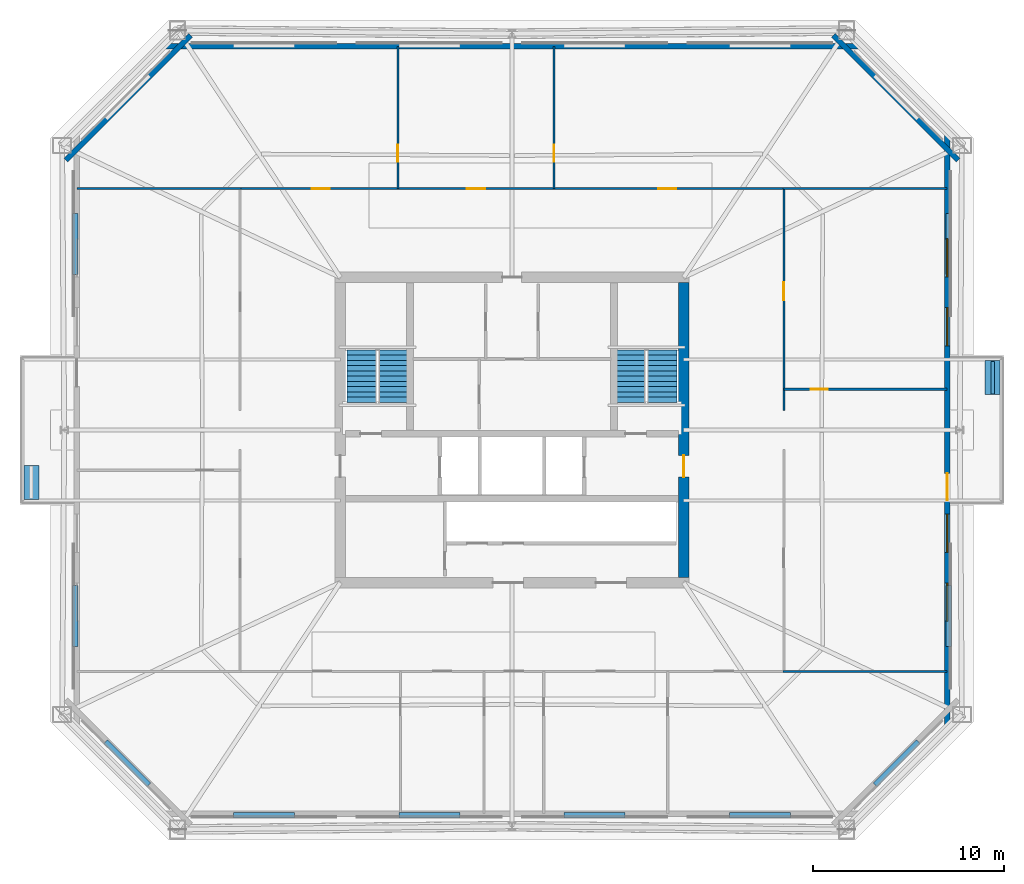
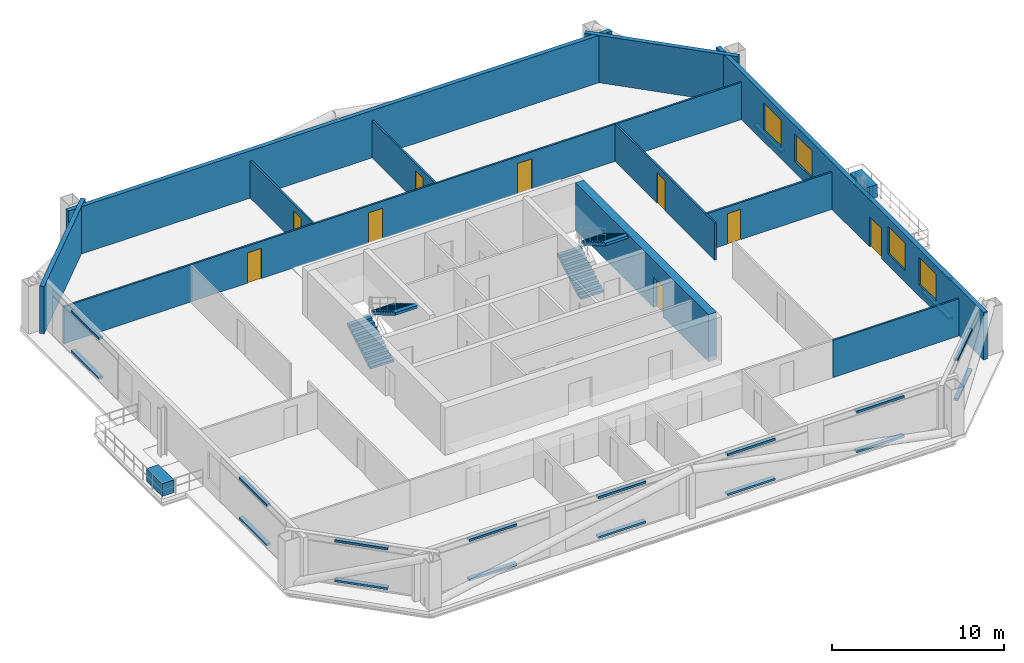
# One storey, part 4 of 8: 21 discrete accessories, 14 walls, 9 doors, 4 stair flights, 4 windows, 13 openings, 2 elements without a shape of their own.
"""IFC4 building model written with IfcOpenShell, lengths in metres."""

from ifc_helpers import new_model, si_unit, direction, frame, frame_2d, origin, origin_2d, place, context, subcontext, project, spatial, polyline, rectangle, outline, extrude, material, layer, layer_set, type_object, element, fill, aggregate, save


model = new_model("IFC4")

# Units and contexts
model_context = context("Model", 3, precision=1e-05, world=origin(), true_north=direction((0.0, 1.0)))
body_context = subcontext(model_context, "Body", "Model", "MODEL_VIEW")
ifc_project = project(units=[si_unit("LENGTHUNIT", "METRE"), si_unit("AREAUNIT", "SQUARE_METRE"), si_unit("VOLUMEUNIT", "CUBIC_METRE"), si_unit("PLANEANGLEUNIT", "RADIAN"), si_unit("MASSUNIT", "GRAM", prefix="KILO")], contexts=[model_context])

# Site, building, storey
site_placement = place(None, origin())
site = spatial("IfcSite", under=ifc_project, at=site_placement, CompositionType="ELEMENT")
building_placement = place(site_placement, origin())
building = spatial("IfcBuilding", under=site, at=building_placement, Name="Caelvoria Tower", CompositionType="ELEMENT")
storey_placement = place(building_placement, frame((0.0, 0.0, 138.39990234375)))
storey = spatial("IfcBuildingStorey", under=building, at=storey_placement, Name="L36", CompositionType="ELEMENT", Elevation=138.39990234375)

# Wall
ifc_material_1 = material(Name="Bronze-Clad Concrete C40/50", Category="concrete")
ifc_layer_1 = layer(ifc_material_1, 0.179931640625, Name="Bronze-Clad Concrete C40/50")
ifc_layer_set_1 = layer_set([ifc_layer_1], Name="Architectural Planter Kerb Wall 180 - Bronze-Clad Concrete C40/50")
wall_type_1 = type_object("IfcWallType", Name="Architectural Planter Kerb Wall 180", PredefinedType="PARAPET", material=ifc_layer_set_1)
wall_1_placement = place(storey_placement, frame((71.199951171875, 33.89990234375, 0.0), z_axis=(0.0, 0.0, 1.0), x_axis=(0.0, 1.0, 0.0)))
element("IfcWall", 1, at=wall_1_placement, inside=storey, type_object=wall_type_1, Name="Tree Balcony Planter Kerb PLANTER TB-L36-E", PredefinedType="PARAPET", context=body_context, shape_type="SweptSolid", body=[
    extrude(rectangle(XDim=1.7001953125, YDim=0.179931640625, at=frame_2d((0.85009765625, 0.0))), origin(), (0.0, 0.0, 1.0), 0.880126953125),
])

# Wall, openings, windows, door
ifc_material_2 = material(Name="Precast Concrete C40/50 with Bronze Cladding", Category="concrete")
ifc_layer_2 = layer(ifc_material_2, 0.280029296875, Name="Precast Concrete C40/50 with Bronze Cladding")
ifc_layer_set_2 = layer_set([ifc_layer_2], Name="Exterior Precast Concrete C40/50 Bronze-Clad Facade Wall 280 - Precast Concrete C40/50 with Bronze Cladding")
wall_type_2 = type_object("IfcWallType", Name="Exterior Precast Concrete C40/50 Bronze-Clad Facade Wall 280", PredefinedType="STANDARD", material=ifc_layer_set_2)
wall_2_placement = place(storey_placement, frame((68.820068359375, 16.4599609375, 0.0), z_axis=(0.0, 0.0, 1.0), x_axis=(0.0, 1.0, 0.0)))
wall_2 = element("IfcWall", 2, at=wall_2_placement, inside=storey, type_object=wall_type_2, Name="Exterior Facade Wall L36-E2", PredefinedType="STANDARD", context=body_context, shape_type="SweptSolid", body=[
    extrude(rectangle(XDim=31.080078125, YDim=0.280029296875, at=frame_2d((15.5400390625, 0.0))), origin(), (0.0, 0.0, 1.0), 3.360107421875),
])
opening_1_placement = place(wall_2_placement, frame((11.860107421875, 0.0, 0.0)))
opening_1 = element("IfcOpeningElement", 3, at=opening_1_placement, cuts=wall_2, Name="Opening ED-04", PredefinedType="OPENING", context=body_context, shape_type="SweptSolid", body=[
    extrude(rectangle(XDim=1.39990234375, YDim=2.14990234375, at=frame_2d((0.699951171875, 1.074951171875))), frame((0.0, 0.14990234375, 0.0), z_axis=(0.0, -1.0, 0.0), x_axis=(1.0, 0.0, 0.0)), (0.0, 0.0, 1.0), 0.300048828125),
])
opening_2_placement = place(wall_2_placement, frame((5.514892578125, 0.0, 0.800048828125)))
opening_2 = element("IfcOpeningElement", 4, at=opening_2_placement, cuts=wall_2, Name="Opening WN-01", PredefinedType="OPENING", context=body_context, shape_type="SweptSolid", body=[
    extrude(rectangle(XDim=2.0, YDim=1.949951171875, at=frame_2d((1.0, 0.97509765625))), frame((0.0, 0.14990234375, 0.0), z_axis=(0.0, -1.0, 0.0), x_axis=(1.0, 0.0, 0.0)), (0.0, 0.0, 1.0), 0.300048828125),
])
opening_3_placement = place(wall_2_placement, frame((9.125, 0.0, 0.800048828125)))
opening_3 = element("IfcOpeningElement", 5, at=opening_3_placement, cuts=wall_2, Name="Opening WN-01", PredefinedType="OPENING", context=body_context, shape_type="SweptSolid", body=[
    extrude(rectangle(XDim=2.0, YDim=1.949951171875, at=frame_2d((1.0, 0.97509765625))), frame((0.0, 0.14990234375, 0.0), z_axis=(0.0, -1.0, 0.0), x_axis=(1.0, 0.0, 0.0)), (0.0, 0.0, 1.0), 0.300048828125),
])
opening_4_placement = place(wall_2_placement, frame((19.955078125, 0.0, 0.800048828125)))
opening_4 = element("IfcOpeningElement", 6, at=opening_4_placement, cuts=wall_2, Name="Opening WN-01", PredefinedType="OPENING", context=body_context, shape_type="SweptSolid", body=[
    extrude(rectangle(XDim=2.0, YDim=1.949951171875, at=frame_2d((1.0, 0.97509765625))), frame((0.0, 0.14990234375, 0.0), z_axis=(0.0, -1.0, 0.0), x_axis=(1.0, 0.0, 0.0)), (0.0, 0.0, 1.0), 0.300048828125),
])
opening_5_placement = place(wall_2_placement, frame((23.56494140625, 0.0, 0.800048828125)))
opening_5 = element("IfcOpeningElement", 7, at=opening_5_placement, cuts=wall_2, Name="Opening WN-01", PredefinedType="OPENING", context=body_context, shape_type="SweptSolid", body=[
    extrude(rectangle(XDim=2.0, YDim=1.949951171875, at=frame_2d((1.0, 0.97509765625))), frame((0.0, 0.14990234375, 0.0), z_axis=(0.0, -1.0, 0.0), x_axis=(1.0, 0.0, 0.0)), (0.0, 0.0, 1.0), 0.300048828125),
])
ifc_material_3 = material(Name="Low-E Tinted Glass in Bronze Aluminium Frame", Category="aluminium")
window_type = type_object("IfcWindowType", Name="Tower Office Vision Window 2000x1950", PartitioningType="SINGLE_PANEL", PredefinedType="WINDOW", material=ifc_material_3)
window_1_placement = place(opening_2_placement, origin())
window_1 = element("IfcWindow", 8, at=window_1_placement, inside=storey, type_object=window_type, Name="Facade Window L36-E2-01", OverallHeight=1.949951171875, OverallWidth=2.0, PartitioningType="SINGLE_PANEL", PredefinedType="WINDOW", context=body_context, shape_type="SweptSolid", body=[
    extrude(rectangle(XDim=2.0, YDim=1.949951171875, at=frame_2d((1.0, 0.97509765625))), frame((0.0, 0.030029296875, 0.0), z_axis=(0.0, -1.0, 0.0), x_axis=(1.0, 0.0, 0.0)), (0.0, 0.0, 1.0), 0.06005859375),
])
fill(opening_2, window_1)
window_2_placement = place(opening_3_placement, origin())
window_2 = element("IfcWindow", 9, at=window_2_placement, inside=storey, type_object=window_type, Name="Facade Window L36-E2-02", OverallHeight=1.949951171875, OverallWidth=2.0, PartitioningType="SINGLE_PANEL", PredefinedType="WINDOW", context=body_context, shape_type="SweptSolid", body=[
    extrude(rectangle(XDim=2.0, YDim=1.949951171875, at=frame_2d((1.0, 0.97509765625))), frame((0.0, 0.030029296875, 0.0), z_axis=(0.0, -1.0, 0.0), x_axis=(1.0, 0.0, 0.0)), (0.0, 0.0, 1.0), 0.06005859375),
])
fill(opening_3, window_2)
window_3_placement = place(opening_4_placement, origin())
window_3 = element("IfcWindow", 10, at=window_3_placement, inside=storey, type_object=window_type, Name="Facade Window L36-E2-05", OverallHeight=1.949951171875, OverallWidth=2.0, PartitioningType="SINGLE_PANEL", PredefinedType="WINDOW", context=body_context, shape_type="SweptSolid", body=[
    extrude(rectangle(XDim=2.0, YDim=1.949951171875, at=frame_2d((1.0, 0.97509765625))), frame((0.0, 0.030029296875, 0.0), z_axis=(0.0, -1.0, 0.0), x_axis=(1.0, 0.0, 0.0)), (0.0, 0.0, 1.0), 0.06005859375),
])
fill(opening_4, window_3)
window_4_placement = place(opening_5_placement, origin())
window_4 = element("IfcWindow", 11, at=window_4_placement, inside=storey, type_object=window_type, Name="Facade Window L36-E2-06", OverallHeight=1.949951171875, OverallWidth=2.0, PartitioningType="SINGLE_PANEL", PredefinedType="WINDOW", context=body_context, shape_type="SweptSolid", body=[
    extrude(rectangle(XDim=2.0, YDim=1.949951171875, at=frame_2d((1.0, 0.97509765625))), frame((0.0, 0.030029296875, 0.0), z_axis=(0.0, -1.0, 0.0), x_axis=(1.0, 0.0, 0.0)), (0.0, 0.0, 1.0), 0.06005859375),
])
fill(opening_5, window_4)
ifc_material_4 = material(Name="Anodised Bronze Aluminium and Laminated Glass", Category="aluminium")
door_type_1 = type_object("IfcDoorType", Name="Tree Balcony Glazed Door 1400x2150", OperationType="NOTDEFINED", PredefinedType="DOOR", material=ifc_material_4)
door_1_placement = place(opening_1_placement, origin())
door_1 = element("IfcDoor", 12, at=door_1_placement, inside=storey, type_object=door_type_1, Name="Tree Balcony Door L36-E", OperationType="SINGLE_SWING_LEFT", OverallHeight=2.14990234375, OverallWidth=1.39990234375, PredefinedType="DOOR", context=body_context, shape_type="SweptSolid", body=[
    extrude(rectangle(XDim=1.39990234375, YDim=2.14990234375, at=frame_2d((0.699951171875, 1.074951171875))), frame((0.0, 0.02490234375, 0.0), z_axis=(0.0, -1.0, 0.0), x_axis=(1.0, 0.0, 0.0)), (0.0, 0.0, 1.0), 0.050048828125),
])
fill(opening_1, door_1)

# Walls
wall_3_placement = place(storey_placement, frame((69.393798828125, 46.154541015625, 0.0), z_axis=(0.0, 0.0, 1.0), x_axis=(-0.707106781187, 0.707106781187, 0.0)))
element("IfcWall", 13, at=wall_3_placement, inside=storey, type_object=wall_type_2, Name="Exterior Facade Wall L36-E3", PredefinedType="STANDARD", context=body_context, shape_type="SweptSolid", body=[
    extrude(rectangle(XDim=9.248046875, YDim=0.280029296875, at=frame_2d((4.6240234375, 0.0))), origin(), (0.0, 0.0, 1.0), 3.360107421875),
])
wall_4_placement = place(storey_placement, frame((64.239990234375, 52.1201171875, 0.0), z_axis=(0.0, 0.0, 1.0), x_axis=(-1.0, 0.0, 0.0)))
element("IfcWall", 14, at=wall_4_placement, inside=storey, type_object=wall_type_2, Name="Exterior Facade Wall L36-E4", PredefinedType="STANDARD", context=body_context, shape_type="SweptSolid", body=[
    extrude(rectangle(XDim=36.47998046875, YDim=0.280029296875, at=frame_2d((18.239990234375, 0.0))), origin(), (0.0, 0.0, 1.0), 3.360107421875),
])
wall_5_placement = place(storey_placement, frame((29.1455078125, 52.69384765625, 0.0), z_axis=(0.0, 0.0, 1.0), x_axis=(-0.707106781187, -0.707106781187, 0.0)))
element("IfcWall", 15, at=wall_5_placement, inside=storey, type_object=wall_type_2, Name="Exterior Facade Wall L36-E5", PredefinedType="STANDARD", context=body_context, shape_type="SweptSolid", body=[
    extrude(rectangle(XDim=9.248046875, YDim=0.280029296875, at=frame_2d((4.6240234375, 0.0))), origin(), (0.0, 0.0, 1.0), 3.360107421875),
])

# Wall, opening, door
ifc_material_5 = material(Name="Concrete C55/67", Category="concrete")
ifc_layer_3 = layer(ifc_material_5, 0.550048828125, Name="Concrete C55/67")
ifc_layer_set_3 = layer_set([ifc_layer_3], Name="Mid Core Shear Wall 550 - Concrete C55/67")
wall_type_3 = type_object("IfcWallType", Name="Mid Core Shear Wall 550", PredefinedType="SHEAR", material=ifc_layer_set_3)
wall_6_placement = place(storey_placement, frame((55.0, 24.27490234375, 0.0), z_axis=(0.0, 0.0, 1.0), x_axis=(0.0, 1.0, 0.0)))
wall_6 = element("IfcWall", 16, at=wall_6_placement, inside=storey, type_object=wall_type_3, Name="Core Shear Wall L36 E", PredefinedType="SHEAR", context=body_context, shape_type="SweptSolid", body=[
    extrude(rectangle(XDim=15.4501953125, YDim=0.550048828125, at=frame_2d((7.72509765625, 0.0))), origin(), (0.0, 0.0, 1.0), 3.360107421875),
])
opening_6_placement = place(wall_6_placement, frame((5.25, 0.0, 0.0)))
opening_6 = element("IfcOpeningElement", 17, at=opening_6_placement, cuts=wall_6, Name="Opening ID-02", PredefinedType="OPENING", context=body_context, shape_type="SweptSolid", body=[
    extrude(rectangle(XDim=1.14990234375, YDim=2.14990234375, at=frame_2d((0.574951171875, 1.074951171875))), frame((0.0, 0.284912109375, 0.0), z_axis=(0.0, -1.0, 0.0), x_axis=(1.0, 0.0, 0.0)), (0.0, 0.0, 1.0), 0.570068359375),
])
ifc_material_6 = material(Name="Painted Hollow Steel Fire Door", Category="steel")
door_type_2 = type_object("IfcDoorType", Name="Fire Door FD60S 1150x2150", OperationType="NOTDEFINED", PredefinedType="DOOR", material=ifc_material_6)
door_2_placement = place(opening_6_placement, origin())
door_2 = element("IfcDoor", 18, at=door_2_placement, inside=storey, type_object=door_type_2, Name="Core Door DR-L36-FFLE-OUT", OperationType="SINGLE_SWING_RIGHT", OverallHeight=2.14990234375, OverallWidth=1.14990234375, PredefinedType="DOOR", context=body_context, shape_type="SweptSolid", body=[
    extrude(rectangle(XDim=1.14990234375, YDim=2.14990234375, at=frame_2d((0.574951171875, 1.074951171875))), frame((0.0, 0.02490234375, 0.0), z_axis=(0.0, -1.0, 0.0), x_axis=(1.0, 0.0, 0.0)), (0.0, 0.0, 1.0), 0.050048828125),
])
fill(opening_6, door_2)

ifc_material_7 = material(Name="Acoustic Gypsum Board on Light-Gauge Stud", Category="gypsum")
ifc_layer_4 = layer(ifc_material_7, 0.1201171875, Name="Acoustic Gypsum Board on Light-Gauge Stud")
ifc_layer_set_4 = layer_set([ifc_layer_4], Name="Tenant Suite Acoustic Partition Wall 120 - Acoustic Gypsum Board on Light-Gauge Stud")
wall_type_4 = type_object("IfcWallType", Name="Tenant Suite Acoustic Partition Wall 120", PredefinedType="PARTITIONING", material=ifc_layer_set_4)
wall_7_placement = place(storey_placement, frame((40.019287109375, 44.659912109375, 0.0), z_axis=(0.0, 0.0, 1.0), x_axis=(0.0, 1.0, 0.0)))
wall_7 = element("IfcWall", 19, at=wall_7_placement, inside=storey, type_object=wall_type_4, Name="Interior Partition IW-L36-ND-00-0", PredefinedType="PARTITIONING", context=body_context, shape_type="SweptSolid", body=[
    extrude(rectangle(XDim=7.460205078125, YDim=0.1201171875, at=frame_2d((3.72998046875, 0.0))), origin(), (0.0, 0.0, 1.0), 2.64013671875),
])
opening_7_placement = place(wall_7_placement, frame((1.39990234375, 0.0, 0.0)))
opening_7 = element("IfcOpeningElement", 20, at=opening_7_placement, cuts=wall_7, Name="Opening ID-06", PredefinedType="OPENING", context=body_context, shape_type="SweptSolid", body=[
    extrude(rectangle(XDim=0.89990234375, YDim=2.14990234375, at=frame_2d((0.449951171875, 1.074951171875))), frame((0.0, 0.070068359375, 0.0), z_axis=(0.0, -1.0, 0.0), x_axis=(1.0, 0.0, 0.0)), (0.0, 0.0, 1.0), 0.14013671875),
])
ifc_material_8 = material(Name="Engineered Andean Oak Veneer Door", Category="wood")
door_type_3 = type_object("IfcDoorType", Name="Interior Timber Door 900x2150", OperationType="NOTDEFINED", PredefinedType="DOOR", material=ifc_material_8)
door_3_placement = place(opening_7_placement, origin())
door_3 = element("IfcDoor", 21, at=door_3_placement, inside=storey, type_object=door_type_3, Name="Interior Door DR-L36-NM-00-0", OperationType="SINGLE_SWING_RIGHT", OverallHeight=2.14990234375, OverallWidth=0.89990234375, PredefinedType="DOOR", context=body_context, shape_type="SweptSolid", body=[
    extrude(rectangle(XDim=0.89990234375, YDim=2.14990234375, at=frame_2d((0.449951171875, 1.074951171875))), frame((0.0, 0.02490234375, 0.0), z_axis=(0.0, -1.0, 0.0), x_axis=(1.0, 0.0, 0.0)), (0.0, 0.0, 1.0), 0.050048828125),
])
fill(opening_7, door_3)

wall_8_placement = place(storey_placement, frame((48.202392578125, 44.659912109375, 0.0), z_axis=(0.0, 0.0, 1.0), x_axis=(0.0, 1.0, 0.0)))
wall_8 = element("IfcWall", 22, at=wall_8_placement, inside=storey, type_object=wall_type_4, Name="Interior Partition IW-L36-ND-01-0", PredefinedType="PARTITIONING", context=body_context, shape_type="SweptSolid", body=[
    extrude(rectangle(XDim=7.460205078125, YDim=0.1201171875, at=frame_2d((3.72998046875, 0.0))), origin(), (0.0, 0.0, 1.0), 2.64013671875),
])
opening_8_placement = place(wall_8_placement, frame((1.39990234375, 0.0, 0.0)))
opening_8 = element("IfcOpeningElement", 23, at=opening_8_placement, cuts=wall_8, Name="Opening ID-06", PredefinedType="OPENING", context=body_context, shape_type="SweptSolid", body=[
    extrude(rectangle(XDim=0.89990234375, YDim=2.14990234375, at=frame_2d((0.449951171875, 1.074951171875))), frame((0.0, 0.070068359375, 0.0), z_axis=(0.0, -1.0, 0.0), x_axis=(1.0, 0.0, 0.0)), (0.0, 0.0, 1.0), 0.14013671875),
])
door_4_placement = place(opening_8_placement, origin())
door_4 = element("IfcDoor", 24, at=door_4_placement, inside=storey, type_object=door_type_3, Name="Interior Door DR-L36-NM-01-0", OperationType="SINGLE_SWING_LEFT", OverallHeight=2.14990234375, OverallWidth=0.89990234375, PredefinedType="DOOR", context=body_context, shape_type="SweptSolid", body=[
    extrude(rectangle(XDim=0.89990234375, YDim=2.14990234375, at=frame_2d((0.449951171875, 1.074951171875))), frame((0.0, 0.02490234375, 0.0), z_axis=(0.0, -1.0, 0.0), x_axis=(1.0, 0.0, 0.0)), (0.0, 0.0, 1.0), 0.050048828125),
])
fill(opening_8, door_4)

# Wall, openings, doors
wall_9_placement = place(storey_placement, frame((31.800048828125, 44.659912109375, 0.0), z_axis=(0.0, 0.0, 1.0), x_axis=(1.0, 0.0, 0.0)))
wall_9 = element("IfcWall", 25, at=wall_9_placement, inside=storey, type_object=wall_type_4, Name="Interior Partition IW-L36-NCW-0", PredefinedType="PARTITIONING", context=body_context, shape_type="SweptSolid", body=[
    extrude(rectangle(XDim=28.39990234375, YDim=0.1201171875, at=frame_2d((14.199951171875, 0.0))), origin(), (0.0, 0.0, 1.0), 2.64013671875),
])
opening_9_placement = place(wall_9_placement, frame((3.70458984375, 0.0, 0.0)))
opening_9 = element("IfcOpeningElement", 26, at=opening_9_placement, cuts=wall_9, Name="Opening ID-05", PredefinedType="OPENING", context=body_context, shape_type="SweptSolid", body=[
    extrude(rectangle(XDim=0.949951171875, YDim=2.14990234375, at=frame_2d((0.47509765625, 1.074951171875))), frame((0.0, 0.070068359375, 0.0), z_axis=(0.0, -1.0, 0.0), x_axis=(1.0, 0.0, 0.0)), (0.0, 0.0, 1.0), 0.14013671875),
])
opening_10_placement = place(wall_9_placement, frame((11.8359375, 0.0, 0.0)))
opening_10 = element("IfcOpeningElement", 27, at=opening_10_placement, cuts=wall_9, Name="Opening ID-05", PredefinedType="OPENING", context=body_context, shape_type="SweptSolid", body=[
    extrude(rectangle(XDim=0.949951171875, YDim=2.14990234375, at=frame_2d((0.47509765625, 1.074951171875))), frame((0.0, 0.070068359375, 0.0), z_axis=(0.0, -1.0, 0.0), x_axis=(1.0, 0.0, 0.0)), (0.0, 0.0, 1.0), 0.14013671875),
])
opening_11_placement = place(wall_9_placement, frame((21.856201171875, 0.0, 0.0)))
opening_11 = element("IfcOpeningElement", 28, at=opening_11_placement, cuts=wall_9, Name="Opening ID-05", PredefinedType="OPENING", context=body_context, shape_type="SweptSolid", body=[
    extrude(rectangle(XDim=0.949951171875, YDim=2.14990234375, at=frame_2d((0.47509765625, 1.074951171875))), frame((0.0, 0.070068359375, 0.0), z_axis=(0.0, -1.0, 0.0), x_axis=(1.0, 0.0, 0.0)), (0.0, 0.0, 1.0), 0.14013671875),
])
door_type_4 = type_object("IfcDoorType", Name="Interior Timber Door 950x2150", OperationType="NOTDEFINED", PredefinedType="DOOR", material=ifc_material_8)
door_5_placement = place(opening_9_placement, origin())
door_5 = element("IfcDoor", 29, at=door_5_placement, inside=storey, type_object=door_type_4, Name="Interior Door DR-L36-NC-00-0", OperationType="SINGLE_SWING_LEFT", OverallHeight=2.14990234375, OverallWidth=0.949951171875, PredefinedType="DOOR", context=body_context, shape_type="SweptSolid", body=[
    extrude(rectangle(XDim=0.949951171875, YDim=2.14990234375, at=frame_2d((0.47509765625, 1.074951171875))), frame((0.0, 0.02490234375, 0.0), z_axis=(0.0, -1.0, 0.0), x_axis=(1.0, 0.0, 0.0)), (0.0, 0.0, 1.0), 0.050048828125),
])
fill(opening_9, door_5)
door_6_placement = place(opening_10_placement, origin())
door_6 = element("IfcDoor", 30, at=door_6_placement, inside=storey, type_object=door_type_4, Name="Interior Door DR-L36-NC-01-0", OperationType="SINGLE_SWING_RIGHT", OverallHeight=2.14990234375, OverallWidth=0.949951171875, PredefinedType="DOOR", context=body_context, shape_type="SweptSolid", body=[
    extrude(rectangle(XDim=0.949951171875, YDim=2.14990234375, at=frame_2d((0.47509765625, 1.074951171875))), frame((0.0, 0.02490234375, 0.0), z_axis=(0.0, -1.0, 0.0), x_axis=(1.0, 0.0, 0.0)), (0.0, 0.0, 1.0), 0.050048828125),
])
fill(opening_10, door_6)
door_7_placement = place(opening_11_placement, origin())
door_7 = element("IfcDoor", 31, at=door_7_placement, inside=storey, type_object=door_type_4, Name="Interior Door DR-L36-NC-02-0", OperationType="SINGLE_SWING_LEFT", OverallHeight=2.14990234375, OverallWidth=0.949951171875, PredefinedType="DOOR", context=body_context, shape_type="SweptSolid", body=[
    extrude(rectangle(XDim=0.949951171875, YDim=2.14990234375, at=frame_2d((0.47509765625, 1.074951171875))), frame((0.0, 0.02490234375, 0.0), z_axis=(0.0, -1.0, 0.0), x_axis=(1.0, 0.0, 0.0)), (0.0, 0.0, 1.0), 0.050048828125),
])
fill(opening_11, door_7)

# Wall, opening, door
wall_10_placement = place(storey_placement, frame((60.260009765625, 34.14111328125, 0.0), z_axis=(0.0, 0.0, 1.0), x_axis=(1.0, 0.0, 0.0)))
wall_10 = element("IfcWall", 32, at=wall_10_placement, inside=storey, type_object=wall_type_4, Name="Interior Partition IW-L36-ED-00-0", PredefinedType="PARTITIONING", context=body_context, shape_type="SweptSolid", body=[
    extrude(rectangle(XDim=8.56005859375, YDim=0.1201171875, at=frame_2d((4.280029296875, 0.0))), origin(), (0.0, 0.0, 1.0), 2.64013671875),
])
opening_12_placement = place(wall_10_placement, frame((1.39990234375, 0.0, 0.0)))
opening_12 = element("IfcOpeningElement", 33, at=opening_12_placement, cuts=wall_10, Name="Opening ID-06", PredefinedType="OPENING", context=body_context, shape_type="SweptSolid", body=[
    extrude(rectangle(XDim=0.89990234375, YDim=2.14990234375, at=frame_2d((0.449951171875, 1.074951171875))), frame((0.0, 0.070068359375, 0.0), z_axis=(0.0, -1.0, 0.0), x_axis=(1.0, 0.0, 0.0)), (0.0, 0.0, 1.0), 0.14013671875),
])
door_8_placement = place(opening_12_placement, origin())
door_8 = element("IfcDoor", 34, at=door_8_placement, inside=storey, type_object=door_type_3, Name="Interior Door DR-L36-EM-00-0", OperationType="SINGLE_SWING_RIGHT", OverallHeight=2.14990234375, OverallWidth=0.89990234375, PredefinedType="DOOR", context=body_context, shape_type="SweptSolid", body=[
    extrude(rectangle(XDim=0.89990234375, YDim=2.14990234375, at=frame_2d((0.449951171875, 1.074951171875))), frame((0.0, 0.02490234375, 0.0), z_axis=(0.0, -1.0, 0.0), x_axis=(1.0, 0.0, 0.0)), (0.0, 0.0, 1.0), 0.050048828125),
])
fill(opening_12, door_8)

wall_11_placement = place(storey_placement, frame((60.260009765625, 33.02001953125, 0.0), z_axis=(0.0, 0.0, 1.0), x_axis=(0.0, 1.0, 0.0)))
wall_11 = element("IfcWall", 35, at=wall_11_placement, inside=storey, type_object=wall_type_4, Name="Interior Partition IW-L36-ECW-1", PredefinedType="PARTITIONING", context=body_context, shape_type="SweptSolid", body=[
    extrude(rectangle(XDim=11.580078125, YDim=0.1201171875, at=frame_2d((5.7900390625, 0.0))), origin(), (0.0, 0.0, 1.0), 2.64013671875),
])
opening_13_placement = place(wall_11_placement, frame((5.775390625, 0.0, 0.0)))
opening_13 = element("IfcOpeningElement", 36, at=opening_13_placement, cuts=wall_11, Name="Opening ID-05", PredefinedType="OPENING", context=body_context, shape_type="SweptSolid", body=[
    extrude(rectangle(XDim=0.949951171875, YDim=2.14990234375, at=frame_2d((0.47509765625, 1.074951171875))), frame((0.0, 0.070068359375, 0.0), z_axis=(0.0, -1.0, 0.0), x_axis=(1.0, 0.0, 0.0)), (0.0, 0.0, 1.0), 0.14013671875),
])
door_9_placement = place(opening_13_placement, origin())
door_9 = element("IfcDoor", 37, at=door_9_placement, inside=storey, type_object=door_type_4, Name="Interior Door DR-L36-EC-01-0", OperationType="SINGLE_SWING_RIGHT", OverallHeight=2.14990234375, OverallWidth=0.949951171875, PredefinedType="DOOR", context=body_context, shape_type="SweptSolid", body=[
    extrude(rectangle(XDim=0.949951171875, YDim=2.14990234375, at=frame_2d((0.47509765625, 1.074951171875))), frame((0.0, 0.02490234375, 0.0), z_axis=(0.0, -1.0, 0.0), x_axis=(1.0, 0.0, 0.0)), (0.0, 0.0, 1.0), 0.050048828125),
])
fill(opening_13, door_9)

# Walls
for number, where, z_axis, x_axis, name in (
    (38, (60.199951171875, 19.340087890625, 0.0), (0.0, 0.0, 1.0), (1.0, 0.0, 0.0), "Interior Partition IW-L36-BSE-0"),
    (39, (31.800048828125, 44.659912109375, 0.0), (0.0, 0.0, 1.0), (-1.0, 0.0, 0.0), "Interior Partition IW-L36-BNW-0"),
    (40, (60.199951171875, 44.659912109375, 0.0), (0.0, 0.0, 1.0), (1.0, 0.0, 0.0), "Interior Partition IW-L36-BNE-0"),
):
    element("IfcWall", number, at=place(storey_placement, frame(where, z_axis=z_axis, x_axis=x_axis)), inside=storey, type_object=wall_type_4, Name=name, PredefinedType="PARTITIONING", context=body_context, shape_type="SweptSolid", body=[
        extrude(rectangle(XDim=8.6201171875, YDim=0.1201171875, at=frame_2d((4.31005859375, 0.0))), origin(), (0.0, 0.0, 1.0), 2.64013671875),
    ])

# Stair, stair flights
ifc_material_9 = material(Name="Concrete C40/50", Category="concrete")
stair_type = type_object("IfcStairType", Name="Core Smokeproof Dogleg Stair Concrete C40/50", PredefinedType="HALF_TURN_STAIR", material=ifc_material_9)
stair_1_placement = place(storey_placement, origin())
stair_1 = element("IfcStair", 41, at=stair_1_placement, inside=storey, type_object=stair_type, Name="ST-01 Smokeproof Exit Stair L36", PredefinedType="HALF_TURN_STAIR")
ifc_material_10 = material(Name="Precast Concrete C40/50", Category="concrete")
stair_flight_type = type_object("IfcStairFlightType", Name="Precast Concrete C40/50 Stair Flight 1480", PredefinedType="STRAIGHT", material=ifc_material_10)
stair_flight_1_placement = place(storey_placement, frame((38.1298828125, 33.449951171875, 0.0), z_axis=(0.0, 0.0, 1.0), x_axis=(0.0, 1.0, 0.0)))
stair_flight_1 = element("IfcStairFlight", 42, at=stair_flight_1_placement, type_object=stair_flight_type, Name="ST-01 flight 1", NumberOfRisers=11, NumberOfTreads=10, PredefinedType="STRAIGHT", RiserHeight=0.1636, TreadLength=0.275, context=body_context, shape_type="SweptSolid", body=[
    extrude(outline(polyline([(0.0, 0.0), (0.0, 0.16357421875), (0.27490234375, 0.16357421875), (0.27490234375, 0.3271484375), (0.550048828125, 0.3271484375), (0.550048828125, 0.49072265625), (0.824951171875, 0.49072265625), (0.824951171875, 0.654296875), (1.10009765625, 0.654296875), (1.10009765625, 0.818115234375), (1.375, 0.818115234375), (1.375, 0.981689453125), (1.64990234375, 0.981689453125), (1.64990234375, 1.145263671875), (1.925048828125, 1.145263671875), (1.925048828125, 1.308837890625), (2.199951171875, 1.308837890625), (2.199951171875, 1.472412109375), (2.47509765625, 1.472412109375), (2.47509765625, 1.635986328125), (2.75, 1.635986328125), (2.75, 1.799560546875), (2.75, 1.449951171875), (0.312744140625, 0.0), (0.0, 0.0)])), frame((0.0, 0.77001953125, 0.0), z_axis=(0.0, -1.0, 0.0), x_axis=(1.0, 0.0, 0.0)), (0.0, 0.0, 1.0), 1.5400390625),
])
stair_flight_2_placement = place(storey_placement, frame((39.77001953125, 36.199951171875, 1.800048828125), z_axis=(0.0, 0.0, 1.0), x_axis=(0.0, -1.0, 0.0)))
stair_flight_2 = element("IfcStairFlight", 43, at=stair_flight_2_placement, type_object=stair_flight_type, Name="ST-01 flight 2", NumberOfRisers=11, NumberOfTreads=10, PredefinedType="STRAIGHT", RiserHeight=0.1636, TreadLength=0.275, context=body_context, shape_type="SweptSolid", body=[
    extrude(outline(polyline([(0.0, 0.0), (0.0, 0.16357421875), (0.27490234375, 0.16357421875), (0.27490234375, 0.3271484375), (0.550048828125, 0.3271484375), (0.550048828125, 0.49072265625), (0.824951171875, 0.49072265625), (0.824951171875, 0.654296875), (1.10009765625, 0.654296875), (1.10009765625, 0.818115234375), (1.375, 0.818115234375), (1.375, 0.981689453125), (1.64990234375, 0.981689453125), (1.64990234375, 1.145263671875), (1.925048828125, 1.145263671875), (1.925048828125, 1.308837890625), (2.199951171875, 1.308837890625), (2.199951171875, 1.472412109375), (2.47509765625, 1.472412109375), (2.47509765625, 1.635986328125), (2.75, 1.635986328125), (2.75, 1.799560546875), (2.75, 1.449951171875), (0.312744140625, 0.0), (0.0, 0.0)])), frame((0.0, 0.77001953125, 0.0), z_axis=(0.0, -1.0, 0.0), x_axis=(1.0, 0.0, 0.0)), (0.0, 0.0, 1.0), 1.5400390625),
])
aggregate(stair_1, [stair_flight_1, stair_flight_2])

stair_2_placement = place(storey_placement, origin())
stair_2 = element("IfcStair", 44, at=stair_2_placement, inside=storey, type_object=stair_type, Name="ST-02 Smokeproof Exit Stair L36", PredefinedType="HALF_TURN_STAIR")
stair_flight_3_placement = place(storey_placement, frame((52.22998046875, 33.449951171875, 0.0), z_axis=(0.0, 0.0, 1.0), x_axis=(0.0, 1.0, 0.0)))
stair_flight_3 = element("IfcStairFlight", 45, at=stair_flight_3_placement, type_object=stair_flight_type, Name="ST-02 flight 1", NumberOfRisers=11, NumberOfTreads=10, PredefinedType="STRAIGHT", RiserHeight=0.1636, TreadLength=0.275, context=body_context, shape_type="SweptSolid", body=[
    extrude(outline(polyline([(0.0, 0.0), (0.0, 0.16357421875), (0.27490234375, 0.16357421875), (0.27490234375, 0.3271484375), (0.550048828125, 0.3271484375), (0.550048828125, 0.49072265625), (0.824951171875, 0.49072265625), (0.824951171875, 0.654296875), (1.10009765625, 0.654296875), (1.10009765625, 0.818115234375), (1.375, 0.818115234375), (1.375, 0.981689453125), (1.64990234375, 0.981689453125), (1.64990234375, 1.145263671875), (1.925048828125, 1.145263671875), (1.925048828125, 1.308837890625), (2.199951171875, 1.308837890625), (2.199951171875, 1.472412109375), (2.47509765625, 1.472412109375), (2.47509765625, 1.635986328125), (2.75, 1.635986328125), (2.75, 1.799560546875), (2.75, 1.449951171875), (0.312744140625, 0.0), (0.0, 0.0)])), frame((0.0, 0.77001953125, 0.0), z_axis=(0.0, -1.0, 0.0), x_axis=(1.0, 0.0, 0.0)), (0.0, 0.0, 1.0), 1.5400390625),
])
stair_flight_4_placement = place(storey_placement, frame((53.8701171875, 36.199951171875, 1.800048828125), z_axis=(0.0, 0.0, 1.0), x_axis=(0.0, -1.0, 0.0)))
stair_flight_4 = element("IfcStairFlight", 46, at=stair_flight_4_placement, type_object=stair_flight_type, Name="ST-02 flight 2", NumberOfRisers=11, NumberOfTreads=10, PredefinedType="STRAIGHT", RiserHeight=0.1636, TreadLength=0.275, context=body_context, shape_type="SweptSolid", body=[
    extrude(outline(polyline([(0.0, 0.0), (0.0, 0.16357421875), (0.27490234375, 0.16357421875), (0.27490234375, 0.3271484375), (0.550048828125, 0.3271484375), (0.550048828125, 0.49072265625), (0.824951171875, 0.49072265625), (0.824951171875, 0.654296875), (1.10009765625, 0.654296875), (1.10009765625, 0.818115234375), (1.375, 0.818115234375), (1.375, 0.981689453125), (1.64990234375, 0.981689453125), (1.64990234375, 1.145263671875), (1.925048828125, 1.145263671875), (1.925048828125, 1.308837890625), (2.199951171875, 1.308837890625), (2.199951171875, 1.472412109375), (2.47509765625, 1.472412109375), (2.47509765625, 1.635986328125), (2.75, 1.635986328125), (2.75, 1.799560546875), (2.75, 1.449951171875), (0.312744140625, 0.0), (0.0, 0.0)])), frame((0.0, 0.77001953125, 0.0), z_axis=(0.0, -1.0, 0.0), x_axis=(1.0, 0.0, 0.0)), (0.0, 0.0, 1.0), 1.5400390625),
])
aggregate(stair_2, [stair_flight_3, stair_flight_4])

# Discrete accessories
ifc_material_11 = material(Name="Anodised Bronze Stainless Bracket", Category="bronze")
discrete_accessory_type_1 = type_object("IfcDiscreteAccessoryType", Name="Solar Screen Outrigger Support Bracket", PredefinedType="BRACKET", material=ifc_material_11)
for number, where, z_axis, x_axis, name in (
    (47, (32.9951171875, 11.802978515625, 0.240234375), (0.0, 0.0, 1.0), (1.0, 0.0, 0.0), "Solar Screen Bracket L36-E0-00"),
    (48, (32.9951171875, 11.802978515625, 3.06005859375), (0.0, 0.0, 1.0), (1.0, 0.0, 0.0), "Upper Screen Band Bracket L36-E0-00"),
    (49, (41.6650390625, 11.802978515625, 0.240234375), (0.0, 0.0, 1.0), (1.0, 0.0, 0.0), "Solar Screen Bracket L36-E0-01"),
    (50, (41.6650390625, 11.802978515625, 3.06005859375), (0.0, 0.0, 1.0), (1.0, 0.0, 0.0), "Upper Screen Band Bracket L36-E0-01"),
    (51, (50.3349609375, 11.802978515625, 0.240234375), (0.0, 0.0, 1.0), (1.0, 0.0, 0.0), "Solar Screen Bracket L36-E0-02"),
    (52, (50.3349609375, 11.802978515625, 3.06005859375), (0.0, 0.0, 1.0), (1.0, 0.0, 0.0), "Upper Screen Band Bracket L36-E0-02"),
    (53, (59.0048828125, 11.802978515625, 0.240234375), (0.0, 0.0, 1.0), (1.0, 0.0, 0.0), "Solar Screen Bracket L36-E0-03"),
    (54, (59.0048828125, 11.802978515625, 3.06005859375), (0.0, 0.0, 1.0), (1.0, 0.0, 0.0), "Upper Screen Band Bracket L36-E0-03"),
    (55, (66.1787109375, 14.521484375, 0.240234375), (0.0, 0.0, 1.0), (0.707106781187, 0.707106781187, 0.0), "Solar Screen Bracket L36-E1-00"),
    (56, (66.1787109375, 14.521484375, 3.06005859375), (0.0, 0.0, 1.0), (0.707106781187, 0.707106781187, 0.0), "Upper Screen Band Bracket L36-E1-00"),
    (57, (68.89697265625, 22.239990234375, 0.240234375), (0.0, 0.0, 1.0), (0.0, 1.0, 0.0), "Solar Screen Bracket L36-E2-00"),
    (58, (68.89697265625, 22.239990234375, 3.06005859375), (0.0, 0.0, 1.0), (0.0, 1.0, 0.0), "Upper Screen Band Bracket L36-E2-00"),
    (59, (68.89697265625, 41.760009765625, 0.240234375), (0.0, 0.0, 1.0), (0.0, 1.0, 0.0), "Solar Screen Bracket L36-E2-02"),
    (60, (23.10302734375, 41.760009765625, 0.240234375), (0.0, 0.0, 1.0), (0.0, -1.0, 0.0), "Solar Screen Bracket L36-E6-00"),
    (61, (23.10302734375, 41.760009765625, 3.06005859375), (0.0, 0.0, 1.0), (0.0, -1.0, 0.0), "Upper Screen Band Bracket L36-E6-00"),
    (62, (23.10302734375, 22.239990234375, 0.240234375), (0.0, 0.0, 1.0), (0.0, -1.0, 0.0), "Solar Screen Bracket L36-E6-02"),
    (63, (23.10302734375, 22.239990234375, 3.06005859375), (0.0, 0.0, 1.0), (0.0, -1.0, 0.0), "Upper Screen Band Bracket L36-E6-02"),
    (64, (25.8212890625, 14.521484375, 0.240234375), (0.0, 0.0, 1.0), (0.707106781187, -0.707106781187, 0.0), "Solar Screen Bracket L36-E7-00"),
    (65, (25.8212890625, 14.521484375, 3.06005859375), (0.0, 0.0, 1.0), (0.707106781187, -0.707106781187, 0.0), "Upper Screen Band Bracket L36-E7-00"),
):
    element("IfcDiscreteAccessory", number, at=place(storey_placement, frame(where, z_axis=z_axis, x_axis=x_axis)), inside=storey, type_object=discrete_accessory_type_1, Name=name, PredefinedType="BRACKET", context=body_context, shape_type="SweptSolid", body=[
        extrude(rectangle(XDim=3.199951171875, YDim=0.280029296875, at=origin_2d()), origin(), (0.0, 0.0, 1.0), 0.159912109375),
    ])
ifc_material_12 = material(Name="Bronze-Clad Concrete C40/50 Planter Vessel", Category="concrete")
discrete_accessory_type_2 = type_object("IfcDiscreteAccessoryType", Name="Tree Balcony Structural Planter Vessel PLANTER", PredefinedType="USERDEFINED", material=ifc_material_12)
for number, where, z_axis, x_axis, name in (
    (66, (20.800048828125, 29.25, 0.000244140625), (0.0, 0.0, 1.0), (0.0, 1.0, 0.0), "Tree Balcony Planter TB-L36-W"),
    (67, (71.199951171875, 34.75, 0.000244140625), (0.0, 0.0, 1.0), (0.0, 1.0, 0.0), "Tree Balcony Planter TB-L36-E"),
):
    element("IfcDiscreteAccessory", number, at=place(storey_placement, frame(where, z_axis=z_axis, x_axis=x_axis)), inside=storey, type_object=discrete_accessory_type_2, Name=name, ObjectType="PLANTER", PredefinedType="USERDEFINED", context=body_context, shape_type="SweptSolid", body=[
        extrude(rectangle(XDim=1.800048828125, YDim=0.800048828125, at=origin_2d()), origin(), (0.0, 0.0, 1.0), 0.89990234375),
    ])

save(model, "model.ifc")
